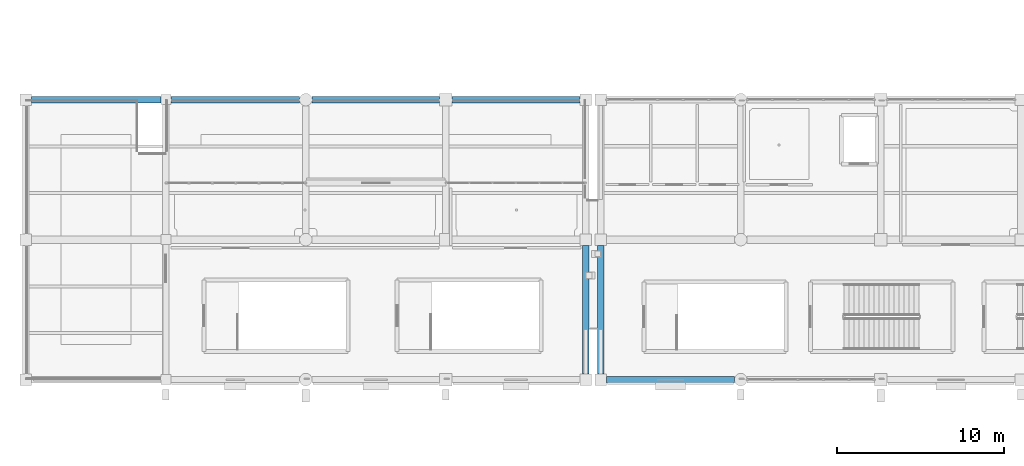
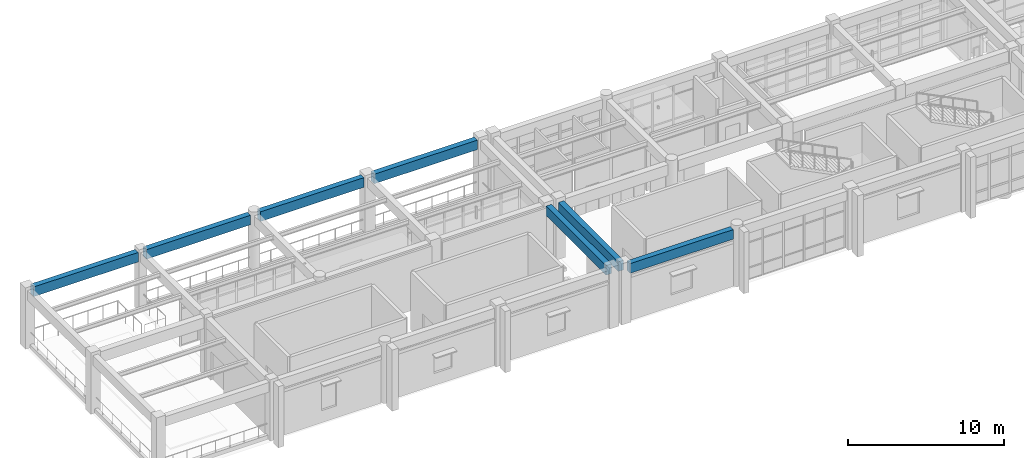
# One storey, part 11 of 111: 7 beams.
"""IFC4 building model written with IfcOpenShell, lengths in metres."""

from ifc_helpers import new_model, si_unit, direction, frame, origin, origin_2d, place, context, subcontext, project, spatial, rectangle, extrude, material, material_profile, profile_set, type_object, element, save


model = new_model("IFC4")

# Units and contexts
model_context = context("Model", 3, precision=1e-05, world=origin(), true_north=direction((0.0, 1.0)))
body_context = subcontext(model_context, "Body", "Model", "MODEL_VIEW")
ifc_project = project(units=[si_unit("LENGTHUNIT", "METRE"), si_unit("AREAUNIT", "SQUARE_METRE"), si_unit("VOLUMEUNIT", "CUBIC_METRE"), si_unit("PLANEANGLEUNIT", "RADIAN"), si_unit("MASSUNIT", "GRAM", prefix="KILO")], contexts=[model_context])

# Site, building, storey
site_placement = place(None, origin())
site = spatial("IfcSite", under=ifc_project, at=site_placement, CompositionType="ELEMENT")
building_placement = place(site_placement, origin())
building = spatial("IfcBuilding", under=site, at=building_placement, Name="Canglan Escarpment Cableway Terminal", CompositionType="ELEMENT")
storey_placement = place(building_placement, frame((0.0, 0.0, 4.800048828125)))
storey = spatial("IfcBuildingStorey", under=building, at=storey_placement, Name="L01", CompositionType="ELEMENT", Elevation=4.800048828125)

# Beams
ifc_material = material(Name="Concrete C40", Category="concrete")
ifc_material_profile_1 = material_profile(ifc_material, rectangle(XDim=0.39990234375, YDim=0.75, at=origin_2d()), Name="RC 400x750")
ifc_profile_set_1 = profile_set([ifc_material_profile_1], Name="Concrete C40")
beam_type_1 = type_object("IfcBeamType", Name="BM-RC400x750", PredefinedType="BEAM", material=ifc_profile_set_1)
for number, where, z_axis, x_axis, name in (
    (1, (41.60009765625, 8.35009765625, 4.135009765625), (0.0, 1.0, 0.0), (-1.0, 0.0, 0.0), "Primary transverse girder B-03"),
    (2, (42.5, 8.35009765625, 4.10498046875), (0.0, 1.0, 0.0), (-1.0, 0.0, 0.0), "Primary transverse girder B-03"),
):
    element("IfcBeam", number, at=place(storey_placement, frame(where, z_axis=z_axis, x_axis=x_axis)), inside=storey, type_object=beam_type_1, Name=name, PredefinedType="BEAM", context=body_context, shape_type="SweptSolid", body=[
        extrude(rectangle(XDim=0.39990234375, YDim=0.75, at=origin_2d()), origin(), (0.0, 0.0, 1.0), 7.699951171875),
    ])
ifc_material_profile_2 = material_profile(ifc_material, rectangle(XDim=0.39990234375, YDim=0.75, at=origin_2d()), Name="RC 400x750")
ifc_profile_set_2 = profile_set([ifc_material_profile_2], Name="Concrete C40")
beam_type_2 = type_object("IfcBeamType", Name="SP-RC400x750", PredefinedType="SPANDREL", material=ifc_profile_set_2)
beam_1_placement = place(storey_placement, frame((8.35009765625, 24.800048828125, 4.175048828125), z_axis=(1.0, 0.0, 0.0), x_axis=(0.0, 1.0, 0.0)))
element("IfcBeam", 3, at=beam_1_placement, inside=storey, type_object=beam_type_2, Name="Primary structural girder SP-01", PredefinedType="SPANDREL", context=body_context, shape_type="SweptSolid", body=[
    extrude(rectangle(XDim=0.39990234375, YDim=0.75, at=origin_2d()), origin(), (0.0, 0.0, 1.0), 7.75),
])
beam_2_placement = place(storey_placement, frame((16.699951171875, 24.800048828125, 4.175048828125), z_axis=(1.0, 0.0, 0.0), x_axis=(0.0, 1.0, 0.0)))
element("IfcBeam", 4, at=beam_2_placement, inside=storey, type_object=beam_type_2, Name="Primary structural girder SP-01", PredefinedType="SPANDREL", context=body_context, shape_type="SweptSolid", body=[
    extrude(rectangle(XDim=0.39990234375, YDim=0.75, at=origin_2d()), origin(), (0.0, 0.0, 1.0), 7.72509765625),
])
beam_3_placement = place(storey_placement, frame((25.175048828125, 24.800048828125, 4.175048828125), z_axis=(1.0, 0.0, 0.0), x_axis=(0.0, 1.0, 0.0)))
element("IfcBeam", 5, at=beam_3_placement, inside=storey, type_object=beam_type_2, Name="Primary structural girder SP-01", PredefinedType="SPANDREL", context=body_context, shape_type="SweptSolid", body=[
    extrude(rectangle(XDim=0.39990234375, YDim=0.75, at=origin_2d()), origin(), (0.0, 0.0, 1.0), 7.64990234375),
])
beam_4_placement = place(storey_placement, frame((33.574951171875, 24.800048828125, 4.175048828125), z_axis=(1.0, 0.0, 0.0), x_axis=(0.0, 1.0, 0.0)))
element("IfcBeam", 6, at=beam_4_placement, inside=storey, type_object=beam_type_2, Name="Primary structural girder SP-01", PredefinedType="SPANDREL", context=body_context, shape_type="SweptSolid", body=[
    extrude(rectangle(XDim=0.39990234375, YDim=0.75, at=origin_2d()), origin(), (0.0, 0.0, 1.0), 7.675048828125),
])
beam_5_placement = place(storey_placement, frame((42.85009765625, 8.0, 4.10498046875), z_axis=(1.0, 0.0, 0.0), x_axis=(0.0, 1.0, 0.0)))
element("IfcBeam", 7, at=beam_5_placement, inside=storey, type_object=beam_type_2, Name="Primary structural girder SP-01", PredefinedType="SPANDREL", context=body_context, shape_type="SweptSolid", body=[
    extrude(rectangle(XDim=0.39990234375, YDim=0.75, at=origin_2d()), origin(), (0.0, 0.0, 1.0), 7.6748046875),
])

save(model, "model.ifc")
